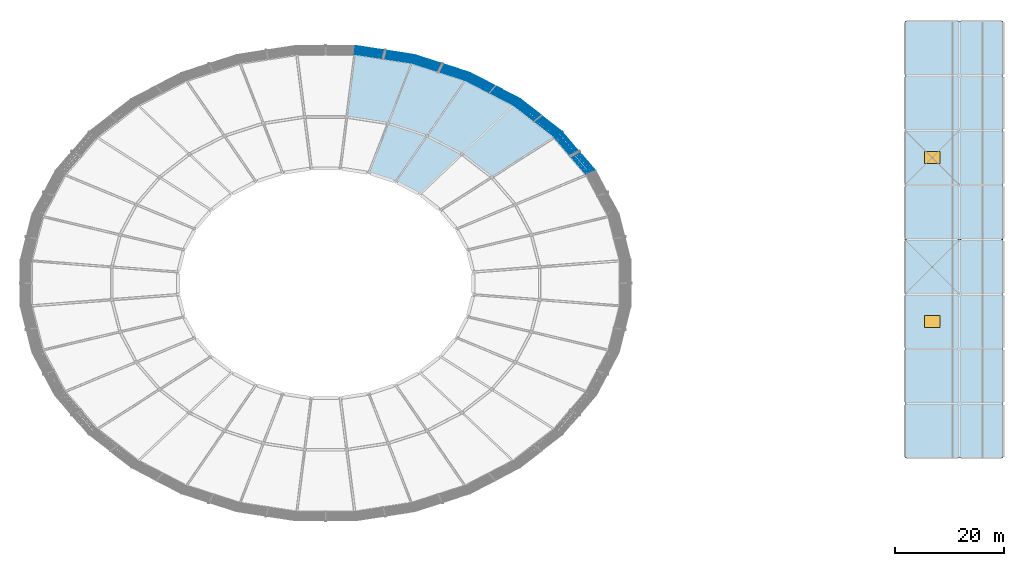
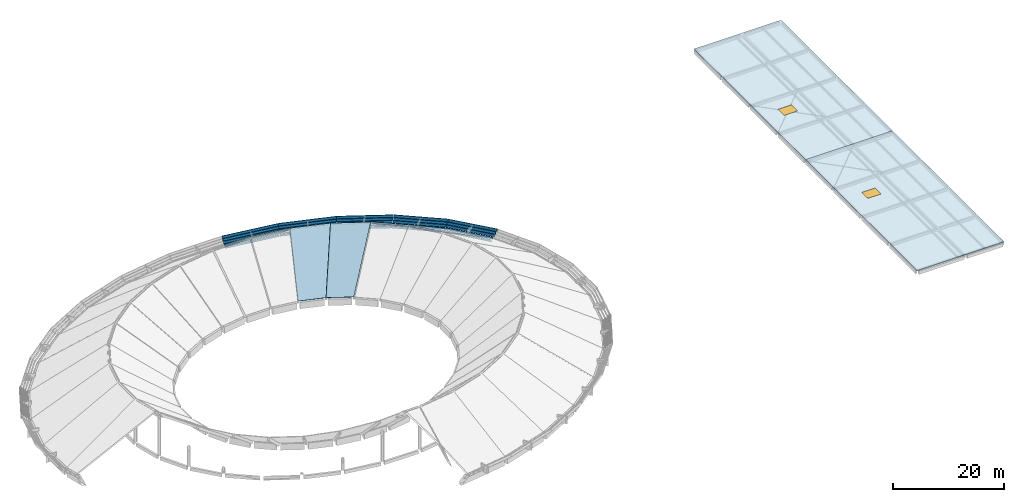
# One storey, part 8 of 15: 25 plates, 8 slabs, 2 windows, 2 openings.
"""IFC4 building model written with IfcOpenShell, lengths in metres."""

from ifc_helpers import new_model, si_unit, direction, frame, origin, origin_2d, place, context, subcontext, project, spatial, polyline, rectangle, outline, extrude, material, layer, layer_set, type_object, element, fill, save


model = new_model("IFC4")

# Units and contexts
model_context = context("Model", 3, precision=1e-05, world=origin(), true_north=direction((0.0, 1.0)))
body_context = subcontext(model_context, "Body", "Model", "MODEL_VIEW")
ifc_project = project(units=[si_unit("LENGTHUNIT", "METRE"), si_unit("AREAUNIT", "SQUARE_METRE"), si_unit("VOLUMEUNIT", "CUBIC_METRE"), si_unit("PLANEANGLEUNIT", "RADIAN"), si_unit("MASSUNIT", "GRAM", prefix="KILO")], contexts=[model_context])

# Site, building, storey
site_placement = place(None, origin())
site = spatial("IfcSite", under=ifc_project, at=site_placement, CompositionType="ELEMENT")
building_placement = place(site_placement, origin())
building = spatial("IfcBuilding", under=site, at=building_placement, Name="Corvandel Quay Wholesale Market", CompositionType="ELEMENT")
storey_placement = place(building_placement, frame((0.0, 0.0, 19.199951171875)))
storey = spatial("IfcBuildingStorey", under=building, at=storey_placement, Name="RF", CompositionType="ELEMENT", Elevation=19.199951171875)

# Slab, opening, window
ifc_material_1 = material(Name="Precast concrete C45/55", Category="concrete")
ifc_layer_1 = layer(ifc_material_1, 0.199951171875)
ifc_layer_set_1 = layer_set([ifc_layer_1], Name="Precast concrete C45/55")
slab_type_1 = type_object("IfcSlabType", Name="Insulated Flat Precast Roof Slab 200", PredefinedType="ROOF", material=ifc_layer_set_1)
slab_1_placement = place(storey_placement, frame((0.0, 0.0, -0.199951171875)))
slab_1 = element("IfcSlab", 1, at=slab_1_placement, inside=storey, type_object=slab_type_1, Name="Slab SLB-0472", PredefinedType="ROOF", context=body_context, shape_type="SweptSolid", body=[
    extrude(outline(polyline([(220.0, 10.0), (238.0, 10.0), (238.0, 50.0), (220.0, 50.0), (220.0, 10.0)])), origin(), (0.0, 0.0, 1.0), 0.199951171875),
])
opening_1_placement = place(slab_1_placement, frame((225.0, 35.0, 0.0)))
opening_1 = element("IfcOpeningElement", 2, at=opening_1_placement, cuts=slab_1, Name="Opening RF-SK010", PredefinedType="OPENING", context=body_context, shape_type="SweptSolid", body=[
    extrude(rectangle(XDim=2.800048828125, YDim=2.199951171875, at=origin_2d()), origin(), (0.0, 0.0, 1.0), 0.199951171875),
])
ifc_material_2 = material(Name="Thermally broken bronze anodised aluminium and solar-control low-E double glazing", Category="aluminium")
window_type = type_object("IfcWindowType", Name="Office Atrium Roof Skylight SK06 2800x2200", PartitioningType="SINGLE_PANEL", PredefinedType="SKYLIGHT", material=ifc_material_2)
window_1_placement = place(opening_1_placement, frame((0.0, 0.0, 0.14990234375)))
window_1 = element("IfcWindow", 3, at=window_1_placement, inside=storey, type_object=window_type, Name="Roof Skylight RF-SK010", OverallHeight=2.199951171875, OverallWidth=2.800048828125, PartitioningType="SINGLE_PANEL", PredefinedType="SKYLIGHT", context=body_context, shape_type="SweptSolid", body=[
    extrude(rectangle(XDim=2.800048828125, YDim=2.199951171875, at=origin_2d()), origin(), (0.0, 0.0, 1.0), 0.050048828125),
])
fill(opening_1, window_1)

slab_2_placement = place(storey_placement, frame((0.0, 0.0, -0.199951171875)))
slab_2 = element("IfcSlab", 4, at=slab_2_placement, inside=storey, type_object=slab_type_1, Name="Slab SLB-0473", PredefinedType="ROOF", context=body_context, shape_type="SweptSolid", body=[
    extrude(outline(polyline([(220.0, 50.0), (238.0, 50.0), (238.0, 90.0), (220.0, 90.0), (220.0, 50.0)])), origin(), (0.0, 0.0, 1.0), 0.199951171875),
])
opening_2_placement = place(slab_2_placement, frame((225.0, 65.0, 0.0)))
opening_2 = element("IfcOpeningElement", 5, at=opening_2_placement, cuts=slab_2, Name="Opening RF-SK011", PredefinedType="OPENING", context=body_context, shape_type="SweptSolid", body=[
    extrude(rectangle(XDim=2.800048828125, YDim=2.199951171875, at=origin_2d()), origin(), (0.0, 0.0, 1.0), 0.199951171875),
])
window_2_placement = place(opening_2_placement, frame((0.0, 0.0, 0.14990234375)))
window_2 = element("IfcWindow", 6, at=window_2_placement, inside=storey, type_object=window_type, Name="Roof Skylight RF-SK011", OverallHeight=2.199951171875, OverallWidth=2.800048828125, PartitioningType="SINGLE_PANEL", PredefinedType="SKYLIGHT", context=body_context, shape_type="SweptSolid", body=[
    extrude(rectangle(XDim=2.800048828125, YDim=2.199951171875, at=origin_2d()), origin(), (0.0, 0.0, 1.0), 0.050048828125),
])
fill(opening_2, window_2)

# Plates
ifc_material_3 = material(Name="Architectural white precast concrete C45/55", Category="concrete")
ifc_layer_2 = layer(ifc_material_3, 0.090087890625)
ifc_layer_set_2 = layer_set([ifc_layer_2], Name="Architectural white precast concrete C45/55")
plate_type_1 = type_object("IfcPlateType", Name="Stepped White Precast Shell Fascia Band FP01", PredefinedType="SHEET", material=ifc_layer_set_2)
plate_1_placement = place(storey_placement, frame((158.8994140625, 65.33349609375, -4.8798828125), z_axis=(0.0, 0.0, 1.0), x_axis=(-0.651568967347, 0.758589401976, 0.0)))
element("IfcPlate", 7, at=plate_1_placement, inside=storey, type_object=plate_type_1, Name="Stepped Shell Rim Fascia FP-0003", PredefinedType="SHEET", context=body_context, shape_type="SweptSolid", body=[
    extrude(rectangle(XDim=9.008056640625, YDim=0.090087890625, at=origin_2d()), origin(), (0.0, 0.0, 1.0), 0.4599609375),
])
plate_2_placement = place(storey_placement, frame((152.18408203125, 71.698486328125, -4.8798828125), z_axis=(0.0, 0.0, 1.0), x_axis=(-0.789298462742, 0.614009720373, 0.0)))
element("IfcPlate", 8, at=plate_2_placement, inside=storey, type_object=plate_type_1, Name="Stepped Shell Rim Fascia FP-0004", PredefinedType="SHEET", context=body_context, shape_type="SweptSolid", body=[
    extrude(rectangle(XDim=9.469970703125, YDim=0.090087890625, at=origin_2d()), origin(), (0.0, 0.0, 1.0), 0.4599609375),
])
plate_3_placement = place(storey_placement, frame((144.0009765625, 76.922119140625, -4.8798828125), z_axis=(0.0, 0.0, 1.0), x_axis=(-0.887332978338, 0.461129250378, 0.0)))
element("IfcPlate", 9, at=plate_3_placement, inside=storey, type_object=plate_type_1, Name="Stepped Shell Rim Fascia FP-0005", PredefinedType="SHEET", context=body_context, shape_type="SweptSolid", body=[
    extrude(rectangle(XDim=9.906982421875, YDim=0.090087890625, at=origin_2d()), origin(), (0.0, 0.0, 1.0), 0.4599609375),
])
plate_4_placement = place(storey_placement, frame((134.6650390625, 80.802978515625, -4.8798828125), z_axis=(0.0, 0.0, 1.0), x_axis=(-0.951808747363, 0.306692204733, 0.0)))
element("IfcPlate", 10, at=plate_4_placement, inside=storey, type_object=plate_type_1, Name="Stepped Shell Rim Fascia FP-0006", PredefinedType="SHEET", context=body_context, shape_type="SweptSolid", body=[
    extrude(rectangle(XDim=10.264892578125, YDim=0.090087890625, at=origin_2d()), origin(), (0.0, 0.0, 1.0), 0.4599609375),
])
plate_5_placement = place(storey_placement, frame((124.534912109375, 83.193115234375, -4.8798828125), z_axis=(0.0, 0.0, 1.0), x_axis=(-0.98825506746, 0.152813355565, 0.0)))
element("IfcPlate", 11, at=plate_5_placement, inside=storey, type_object=plate_type_1, Name="Stepped Shell Rim Fascia FP-0007", PredefinedType="SHEET", context=body_context, shape_type="SweptSolid", body=[
    extrude(rectangle(XDim=10.49609375, YDim=0.090087890625, at=origin_2d()), origin(), (0.0, 0.0, 1.0), 0.4599609375),
])
ifc_layer_3 = layer(ifc_material_3, 0.10009765625)
ifc_layer_set_3 = layer_set([ifc_layer_3], Name="Architectural white precast concrete C45/55")
plate_type_2 = type_object("IfcPlateType", Name="Stepped White Precast Shell Fascia Band FP02", PredefinedType="SHEET", material=ifc_layer_set_3)
plate_6_placement = place(storey_placement, frame((159.258544921875, 65.52099609375, -4.56005859375), z_axis=(0.0, 0.0, 1.0), x_axis=(-0.65170135625, 0.758475670184, 0.0)))
element("IfcPlate", 12, at=plate_6_placement, inside=storey, type_object=plate_type_2, Name="Stepped Shell Rim Fascia FP-0035", PredefinedType="SHEET", context=body_context, shape_type="SweptSolid", body=[
    extrude(rectangle(XDim=9.0810546875, YDim=0.10009765625, at=origin_2d()), origin(), (0.0, 0.0, 1.0), 0.5),
])
plate_7_placement = place(storey_placement, frame((152.489013671875, 71.9365234375, -4.56005859375), z_axis=(0.0, 0.0, 1.0), x_axis=(-0.789405615633, 0.613871952452, 0.0)))
element("IfcPlate", 13, at=plate_7_placement, inside=storey, type_object=plate_type_2, Name="Stepped Shell Rim Fascia FP-0036", PredefinedType="SHEET", context=body_context, shape_type="SweptSolid", body=[
    extrude(rectangle(XDim=9.544921875, YDim=0.10009765625, at=origin_2d()), origin(), (0.0, 0.0, 1.0), 0.5),
])
plate_8_placement = place(storey_placement, frame((144.240478515625, 77.201416015625, -4.56005859375), z_axis=(0.0, 0.0, 1.0), x_axis=(-0.887332978338, 0.461129250378, 0.0)))
element("IfcPlate", 14, at=plate_8_placement, inside=storey, type_object=plate_type_2, Name="Stepped Shell Rim Fascia FP-0037", PredefinedType="SHEET", context=body_context, shape_type="SweptSolid", body=[
    extrude(rectangle(XDim=9.987060546875, YDim=0.10009765625, at=origin_2d()), origin(), (0.0, 0.0, 1.0), 0.5),
])
plate_9_placement = place(storey_placement, frame((134.830078125, 81.113525390625, -4.56005859375), z_axis=(0.0, 0.0, 1.0), x_axis=(-0.951808747363, 0.306692204733, 0.0)))
element("IfcPlate", 15, at=plate_9_placement, inside=storey, type_object=plate_type_2, Name="Stepped Shell Rim Fascia FP-0038", PredefinedType="SHEET", context=body_context, shape_type="SweptSolid", body=[
    extrude(rectangle(XDim=10.346923828125, YDim=0.10009765625, at=origin_2d()), origin(), (0.0, 0.0, 1.0), 0.5),
])
plate_10_placement = place(storey_placement, frame((124.618896484375, 83.5224609375, -4.56005859375), z_axis=(0.0, 0.0, 1.0), x_axis=(-0.98825506746, 0.152813355565, 0.0)))
element("IfcPlate", 16, at=plate_10_placement, inside=storey, type_object=plate_type_2, Name="Stepped Shell Rim Fascia FP-0039", PredefinedType="SHEET", context=body_context, shape_type="SweptSolid", body=[
    extrude(rectangle(XDim=10.5810546875, YDim=0.10009765625, at=origin_2d()), origin(), (0.0, 0.0, 1.0), 0.5),
])
ifc_layer_4 = layer(ifc_material_3, 0.110107421875)
ifc_layer_set_4 = layer_set([ifc_layer_4], Name="Architectural white precast concrete C45/55")
plate_type_3 = type_object("IfcPlateType", Name="Stepped White Precast Shell Fascia Band FP03", PredefinedType="SHEET", material=ifc_layer_set_4)
plate_11_placement = place(storey_placement, frame((159.617919921875, 65.70751953125, -4.239990234375), z_axis=(0.0, 0.0, 1.0), x_axis=(-0.651568967347, 0.758589401976, 0.0)))
element("IfcPlate", 17, at=plate_11_placement, inside=storey, type_object=plate_type_3, Name="Stepped Shell Rim Fascia FP-0067", PredefinedType="SHEET", context=body_context, shape_type="SweptSolid", body=[
    extrude(rectangle(XDim=9.154052734375, YDim=0.110107421875, at=origin_2d()), origin(), (0.0, 0.0, 1.0), 0.5400390625),
])
plate_12_placement = place(storey_placement, frame((152.794921875, 72.174072265625, -4.239990234375), z_axis=(0.0, 0.0, 1.0), x_axis=(-0.789298462742, 0.614009720373, 0.0)))
element("IfcPlate", 18, at=plate_12_placement, inside=storey, type_object=plate_type_3, Name="Stepped Shell Rim Fascia FP-0068", PredefinedType="SHEET", context=body_context, shape_type="SweptSolid", body=[
    extrude(rectangle(XDim=9.62109375, YDim=0.110107421875, at=origin_2d()), origin(), (0.0, 0.0, 1.0), 0.5400390625),
])
plate_13_placement = place(storey_placement, frame((144.48095703125, 77.48046875, -4.239990234375), z_axis=(0.0, 0.0, 1.0), x_axis=(-0.887332978338, 0.461129250378, 0.0)))
element("IfcPlate", 19, at=plate_13_placement, inside=storey, type_object=plate_type_3, Name="Stepped Shell Rim Fascia FP-0069", PredefinedType="SHEET", context=body_context, shape_type="SweptSolid", body=[
    extrude(rectangle(XDim=10.06689453125, YDim=0.110107421875, at=origin_2d()), origin(), (0.0, 0.0, 1.0), 0.5400390625),
])
plate_14_placement = place(storey_placement, frame((134.99560546875, 81.423583984375, -4.239990234375), z_axis=(0.0, 0.0, 1.0), x_axis=(-0.951808747363, 0.306692204733, 0.0)))
element("IfcPlate", 20, at=plate_14_placement, inside=storey, type_object=plate_type_3, Name="Stepped Shell Rim Fascia FP-0070", PredefinedType="SHEET", context=body_context, shape_type="SweptSolid", body=[
    extrude(rectangle(XDim=10.429931640625, YDim=0.110107421875, at=origin_2d()), origin(), (0.0, 0.0, 1.0), 0.5400390625),
])
plate_15_placement = place(storey_placement, frame((124.70361328125, 83.85205078125, -4.239990234375), z_axis=(0.0, 0.0, 1.0), x_axis=(-0.988228381447, 0.152985836284, 0.0)))
element("IfcPlate", 21, at=plate_15_placement, inside=storey, type_object=plate_type_3, Name="Stepped Shell Rim Fascia FP-0071", PredefinedType="SHEET", context=body_context, shape_type="SweptSolid", body=[
    extrude(rectangle(XDim=10.6650390625, YDim=0.110107421875, at=origin_2d()), origin(), (0.0, 0.0, 1.0), 0.5400390625),
])
ifc_layer_5 = layer(ifc_material_3, 0.1201171875)
ifc_layer_set_5 = layer_set([ifc_layer_5], Name="Architectural white precast concrete C45/55")
plate_type_4 = type_object("IfcPlateType", Name="Stepped White Precast Shell Fascia Band FP04", PredefinedType="SHEET", material=ifc_layer_set_5)
plate_16_placement = place(storey_placement, frame((159.97705078125, 65.89404296875, -3.919921875), z_axis=(0.0, 0.0, 1.0), x_axis=(-0.65170135625, 0.758475670184, 0.0)))
element("IfcPlate", 22, at=plate_16_placement, inside=storey, type_object=plate_type_4, Name="Stepped Shell Rim Fascia FP-0099", PredefinedType="SHEET", context=body_context, shape_type="SweptSolid", body=[
    extrude(rectangle(XDim=9.22705078125, YDim=0.1201171875, at=origin_2d()), origin(), (0.0, 0.0, 1.0), 0.580078125),
])
plate_17_placement = place(storey_placement, frame((153.10009765625, 72.410888671875, -3.919921875), z_axis=(0.0, 0.0, 1.0), x_axis=(-0.789405615633, 0.613871952452, 0.0)))
element("IfcPlate", 23, at=plate_17_placement, inside=storey, type_object=plate_type_4, Name="Stepped Shell Rim Fascia FP-0100", PredefinedType="SHEET", context=body_context, shape_type="SweptSolid", body=[
    extrude(rectangle(XDim=9.697021484375, YDim=0.1201171875, at=origin_2d()), origin(), (0.0, 0.0, 1.0), 0.580078125),
])
plate_18_placement = place(storey_placement, frame((144.720458984375, 77.759521484375, -3.919921875), z_axis=(0.0, 0.0, 1.0), x_axis=(-0.887332978338, 0.461129250378, 0.0)))
element("IfcPlate", 24, at=plate_18_placement, inside=storey, type_object=plate_type_4, Name="Stepped Shell Rim Fascia FP-0101", PredefinedType="SHEET", context=body_context, shape_type="SweptSolid", body=[
    extrude(rectangle(XDim=10.14697265625, YDim=0.1201171875, at=origin_2d()), origin(), (0.0, 0.0, 1.0), 0.580078125),
])
plate_19_placement = place(storey_placement, frame((135.160400390625, 81.73388671875, -3.919921875), z_axis=(0.0, 0.0, 1.0), x_axis=(-0.951808747363, 0.306692204733, 0.0)))
element("IfcPlate", 25, at=plate_19_placement, inside=storey, type_object=plate_type_4, Name="Stepped Shell Rim Fascia FP-0102", PredefinedType="SHEET", context=body_context, shape_type="SweptSolid", body=[
    extrude(rectangle(XDim=10.511962890625, YDim=0.1201171875, at=origin_2d()), origin(), (0.0, 0.0, 1.0), 0.580078125),
])
plate_20_placement = place(storey_placement, frame((124.78759765625, 84.181396484375, -3.919921875), z_axis=(0.0, 0.0, 1.0), x_axis=(-0.988228381447, 0.152985836284, 0.0)))
element("IfcPlate", 26, at=plate_20_placement, inside=storey, type_object=plate_type_4, Name="Stepped Shell Rim Fascia FP-0103", PredefinedType="SHEET", context=body_context, shape_type="SweptSolid", body=[
    extrude(rectangle(XDim=10.75, YDim=0.1201171875, at=origin_2d()), origin(), (0.0, 0.0, 1.0), 0.580078125),
])
ifc_layer_6 = layer(ifc_material_3, 0.1298828125)
ifc_layer_set_6 = layer_set([ifc_layer_6], Name="Architectural white precast concrete C45/55")
plate_type_5 = type_object("IfcPlateType", Name="Stepped White Precast Shell Fascia Band FP05", PredefinedType="SHEET", material=ifc_layer_set_6)
plate_21_placement = place(storey_placement, frame((160.33642578125, 66.08056640625, -3.60009765625), z_axis=(0.0, 0.0, 1.0), x_axis=(-0.65170135625, 0.758475670184, 0.0)))
element("IfcPlate", 27, at=plate_21_placement, inside=storey, type_object=plate_type_5, Name="Stepped Shell Rim Fascia FP-0131", PredefinedType="SHEET", context=body_context, shape_type="SweptSolid", body=[
    extrude(rectangle(XDim=9.299072265625, YDim=0.1298828125, at=origin_2d()), origin(), (0.0, 0.0, 1.0), 0.6201171875),
])
plate_22_placement = place(storey_placement, frame((153.406005859375, 72.6484375, -3.60009765625), z_axis=(0.0, 0.0, 1.0), x_axis=(-0.789405615633, 0.613871952452, 0.0)))
element("IfcPlate", 28, at=plate_22_placement, inside=storey, type_object=plate_type_5, Name="Stepped Shell Rim Fascia FP-0132", PredefinedType="SHEET", context=body_context, shape_type="SweptSolid", body=[
    extrude(rectangle(XDim=9.77294921875, YDim=0.1298828125, at=origin_2d()), origin(), (0.0, 0.0, 1.0), 0.6201171875),
])
plate_23_placement = place(storey_placement, frame((144.9609375, 78.0390625, -3.60009765625), z_axis=(0.0, 0.0, 1.0), x_axis=(-0.887332978338, 0.461129250378, 0.0)))
element("IfcPlate", 29, at=plate_23_placement, inside=storey, type_object=plate_type_5, Name="Stepped Shell Rim Fascia FP-0133", PredefinedType="SHEET", context=body_context, shape_type="SweptSolid", body=[
    extrude(rectangle(XDim=10.22705078125, YDim=0.1298828125, at=origin_2d()), origin(), (0.0, 0.0, 1.0), 0.6201171875),
])
plate_24_placement = place(storey_placement, frame((135.325927734375, 82.04443359375, -3.60009765625), z_axis=(0.0, 0.0, 1.0), x_axis=(-0.951808747363, 0.306692204733, 0.0)))
element("IfcPlate", 30, at=plate_24_placement, inside=storey, type_object=plate_type_5, Name="Stepped Shell Rim Fascia FP-0134", PredefinedType="SHEET", context=body_context, shape_type="SweptSolid", body=[
    extrude(rectangle(XDim=10.594970703125, YDim=0.1298828125, at=origin_2d()), origin(), (0.0, 0.0, 1.0), 0.6201171875),
])
plate_25_placement = place(storey_placement, frame((124.8720703125, 84.510986328125, -3.60009765625), z_axis=(0.0, 0.0, 1.0), x_axis=(-0.988228381447, 0.152985836284, 0.0)))
element("IfcPlate", 31, at=plate_25_placement, inside=storey, type_object=plate_type_5, Name="Stepped Shell Rim Fascia FP-0135", PredefinedType="SHEET", context=body_context, shape_type="SweptSolid", body=[
    extrude(rectangle(XDim=10.833984375, YDim=0.1298828125, at=origin_2d()), origin(), (0.0, 0.0, 1.0), 0.6201171875),
])

# Slabs
ifc_material_4 = material(Name="Concrete C40/50", Category="concrete")
ifc_layer_7 = layer(ifc_material_4, 0.139892578125)
ifc_layer_set_7 = layer_set([ifc_layer_7], Name="Concrete C40/50")
slab_type_2 = type_object("IfcSlabType", Name="Thin Concrete Radial Shell Roof 140", PredefinedType="ROOF", material=ifc_layer_set_7)
slab_3_placement = place(storey_placement, frame((155.945068359375, 68.77294921875, -4.06005859375), z_axis=(0.358150608725, 0.46044593596, 0.81223006687), x_axis=(-0.789323027077, 0.613978141995, -8.886178e-06)))
element("IfcSlab", 32, at=slab_3_placement, inside=storey, type_object=slab_type_2, Name="Radial Shell Roof SLB-0149", PredefinedType="ROOF", context=body_context, shape_type="SweptSolid", body=[
    extrude(outline(polyline([(0.0, 0.0), (9.529697904121809, -8.881784197001252e-16), (11.492833144553062, 15.874371618579776), (4.584737907127889, 15.874121215970113), (0.0, 0.0)])), origin(), (0.0, 0.0, -1.0), 0.139892578125),
])
slab_4_placement = place(storey_placement, frame((148.423095703125, 74.6240234375, -4.06005859375), z_axis=(0.276939473151, 0.532975440245, 0.799525927226), x_axis=(-0.887344754904, 0.461106587953, -2.2135352e-05)))
element("IfcSlab", 33, at=slab_4_placement, inside=storey, type_object=slab_type_2, Name="Radial Shell Roof SLB-0151", PredefinedType="ROOF", context=body_context, shape_type="SweptSolid", body=[
    extrude(outline(polyline([(0.0, 0.0), (9.966893375153198, 4.440892098500626e-16), (11.489371639910846, 15.417544535812464), (4.262444484729293, 15.41691088403648), (0.0, 0.0)])), origin(), (0.0, 0.0, -1.0), 0.139892578125),
])
slab_5_placement = place(storey_placement, frame((138.95703125, 65.652099609375, 5.199951171875), z_axis=(-0.311852115671, -0.600173325822, 0.73657330723), x_axis=(-0.887375367341, 0.461047672801, -2.9013476e-05)))
element("IfcSlab", 34, at=slab_5_placement, inside=storey, type_object=slab_type_2, Name="Radial Shell Roof SLB-0152", PredefinedType="ROOF", context=body_context, shape_type="SweptSolid", body=[
    extrude(outline(polyline([(0.0, 0.0), (7.226927182622102, 0.0), (8.473225640065854, 13.69063098735002), (3.489831011806542, 13.691154769169657), (0.0, 0.0)])), origin(), (0.0, 0.0, -1.0), 0.139892578125),
])
slab_6_placement = place(storey_placement, frame((139.5791015625, 79.219970703125, -4.06005859375), z_axis=(0.188344739419, 0.584539638237, 0.789201919957), x_axis=(-0.951824003808, 0.306644851211, 3.1644089e-05)))
element("IfcSlab", 35, at=slab_6_placement, inside=storey, type_object=slab_type_2, Name="Radial Shell Roof SLB-0153", PredefinedType="ROOF", context=body_context, shape_type="SweptSolid", body=[
    extrude(outline(polyline([(0.0, 0.0), (10.325487677681938, -4.440892098500626e-16), (11.042597974223373, 15.07759429739188), (3.557681163494165, 15.078512002982059), (0.0, 0.0)])), origin(), (0.0, 0.0, -1.0), 0.139892578125),
])
slab_7_placement = place(storey_placement, frame((132.5439453125, 68.98388671875, 5.199951171875), z_axis=(-0.211395004815, -0.655964460784, 0.724584555541), x_axis=(-0.951789696965, 0.306751320058, 1.9841279e-05)))
element("IfcSlab", 36, at=slab_7_placement, inside=storey, type_object=slab_type_2, Name="Radial Shell Roof SLB-0154", PredefinedType="ROOF", context=body_context, shape_type="SweptSolid", body=[
    extrude(outline(polyline([(0.0, 0.0), (7.484916875631923, -4.440892098500626e-16), (8.07040089631285, 13.43638883168541), (2.9085865845495187, 13.436024739334957), (0.0, 0.0)])), origin(), (0.0, 0.0, -1.0), 0.139892578125),
])
slab_8_placement = place(storey_placement, frame((129.7509765625, 82.385986328125, -4.06005859375), z_axis=(0.095188609555, 0.615315934304, 0.782512255241), x_axis=(-0.9882428482, 0.15289235719, -9.76469e-06)))
element("IfcSlab", 37, at=slab_8_placement, inside=storey, type_object=slab_type_2, Name="Radial Shell Roof SLB-0155", PredefinedType="ROOF", context=body_context, shape_type="SweptSolid", body=[
    extrude(outline(polyline([(0.0, 0.0), (10.556005867700481, -2.220446049250313e-16), (10.235933723668747, 14.872448552245396), (2.582027449603176, 14.872162969040577), (0.0, 0.0)])), origin(), (0.0, 0.0, -1.0), 0.139892578125),
])

save(model, "model.ifc")
